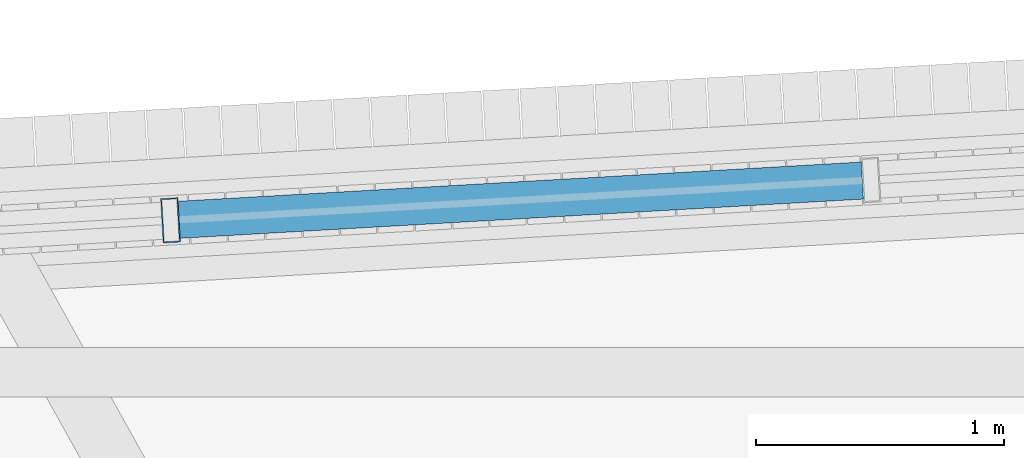
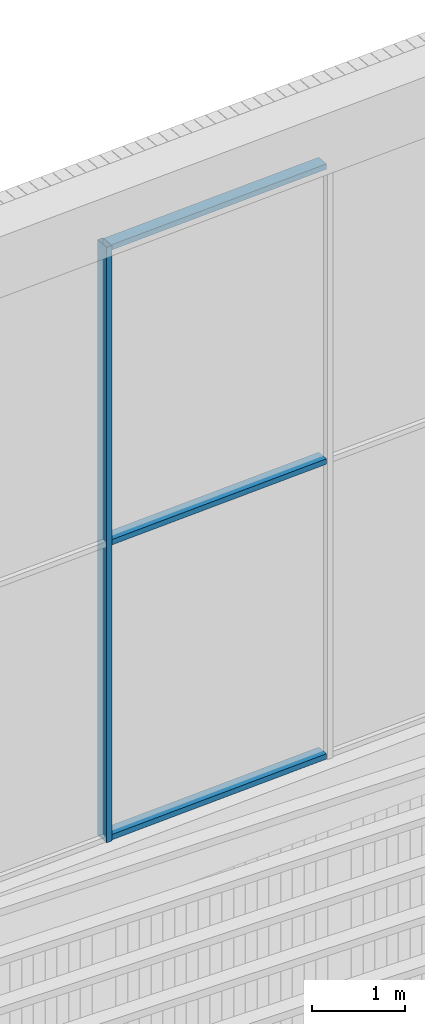
# One storey, part 55 of 117: 4 members, 1 element without a shape of its own.
"""IFC4 building model written with IfcOpenShell, lengths in metres."""

from ifc_helpers import new_model, si_unit, direction, frame, origin, origin_2d, place, context, subcontext, project, spatial, hollow_rectangle, extrude, material, layer, layer_set, material_profile, profile_set, type_object, element, aggregate, save


model = new_model("IFC4")

# Units and contexts
model_context = context("Model", 3, precision=1e-05, world=origin(), true_north=direction((0.0, 1.0)))
body_context = subcontext(model_context, "Body", "Model", "MODEL_VIEW")
ifc_project = project(units=[si_unit("LENGTHUNIT", "METRE"), si_unit("AREAUNIT", "SQUARE_METRE"), si_unit("VOLUMEUNIT", "CUBIC_METRE"), si_unit("PLANEANGLEUNIT", "RADIAN"), si_unit("MASSUNIT", "GRAM", prefix="KILO")], contexts=[model_context])

# Site, building, storey
site_placement = place(None, origin())
site = spatial("IfcSite", under=ifc_project, at=site_placement, CompositionType="ELEMENT")
building_placement = place(site_placement, origin())
building = spatial("IfcBuilding", under=site, at=building_placement, Name="Tarsis Ring Headquarters", CompositionType="ELEMENT")
storey_placement = place(building_placement, frame((0.0, 0.0, 403.60009765625)))
storey = spatial("IfcBuildingStorey", under=building, at=storey_placement, Name="L95", CompositionType="ELEMENT", Elevation=403.60009765625)

# Curtain wall, members
ifc_material_1 = material(Name="Aluminium curtain wall", Category="aluminium")
ifc_layer = layer(ifc_material_1, 0.179931640625)
ifc_layer_set = layer_set([ifc_layer], Name="Curtain wall crown glazing")
curtain_wall_type = type_object("IfcCurtainWallType", Name="Curtain wall crown glazing", PredefinedType="NOTDEFINED", material=ifc_layer_set)
curtain_wall_placement = place(storey_placement, origin())
curtain_wall = element("IfcCurtainWall", 1, at=curtain_wall_placement, inside=storey, type_object=curtain_wall_type, Name="Crown glazing U10", PredefinedType="NOTDEFINED")
ifc_material_2 = material(Name="Aluminium mullion", Category="aluminium")
ifc_material_profile_1 = material_profile(ifc_material_2, hollow_rectangle(XDim=0.179931640625, YDim=0.070068359375, WallThickness=0.0048828125, at=origin_2d()), Name="RHS 180x70x5")
ifc_profile_set_1 = profile_set([ifc_material_profile_1], Name="Aluminium mullion")
member_type_1 = type_object("IfcMemberType", Name="Crown glazing mullion RHS 180x70x5", PredefinedType="MULLION", material=ifc_profile_set_1)
member_1_placement = place(storey_placement, frame((-1.630126953125, 28.3486328125, 14.39990234375), z_axis=(0.0, 0.0, 1.0), x_axis=(0.057411549568, -0.998350596723, 0.0)))
member_1 = element("IfcMember", 2, at=member_1_placement, type_object=member_type_1, Name="CW-C mullion 3", PredefinedType="MULLION", context=body_context, shape_type="SweptSolid", body=[
    extrude(hollow_rectangle(XDim=0.179931640625, YDim=0.070068359375, WallThickness=0.0048828125, at=origin_2d()), origin(), (0.0, 0.0, 1.0), 7.800048828125),
])
ifc_material_3 = material(Name="Aluminium transom", Category="aluminium")
ifc_material_profile_2 = material_profile(ifc_material_3, hollow_rectangle(XDim=0.14990234375, YDim=0.070068359375, WallThickness=0.0048828125, at=origin_2d()), Name="RHS 150x70x5")
ifc_profile_set_2 = profile_set([ifc_material_profile_2], Name="Aluminium transom")
member_type_2 = type_object("IfcMemberType", Name="Crown glazing transom RHS 150x70x5", PredefinedType="USERDEFINED", material=ifc_profile_set_2)
member_2_placement = place(storey_placement, frame((1.163818359375, 28.50927734375, 14.434814453125), z_axis=(-0.998355048761, -0.057334078988, 0.0), x_axis=(0.057334078988, -0.998355048761, 0.0)))
member_2 = element("IfcMember", 3, at=member_2_placement, type_object=member_type_2, Name="CW-C transom 2.1", ObjectType="TRANSOM", PredefinedType="USERDEFINED", context=body_context, shape_type="SweptSolid", body=[
    extrude(hollow_rectangle(XDim=0.14990234375, YDim=0.070068359375, WallThickness=0.0048828125, at=origin_2d()), origin(), (0.0, 0.0, 1.0), 2.763671875),
])
member_3_placement = place(storey_placement, frame((1.163818359375, 28.50927734375, 18.2998046875), z_axis=(-0.998355048761, -0.057334078988, 0.0), x_axis=(0.057334078988, -0.998355048761, 0.0)))
member_3 = element("IfcMember", 4, at=member_3_placement, type_object=member_type_2, Name="CW-C transom 2.2", ObjectType="TRANSOM", PredefinedType="USERDEFINED", context=body_context, shape_type="SweptSolid", body=[
    extrude(hollow_rectangle(XDim=0.14990234375, YDim=0.070068359375, WallThickness=0.0048828125, at=origin_2d()), origin(), (0.0, 0.0, 1.0), 2.763671875),
])
member_4_placement = place(storey_placement, frame((1.163818359375, 28.50927734375, 22.164794921875), z_axis=(-0.998355048761, -0.057334078988, 0.0), x_axis=(0.057334078988, -0.998355048761, 0.0)))
member_4 = element("IfcMember", 5, at=member_4_placement, type_object=member_type_2, Name="CW-C transom 2.3", ObjectType="TRANSOM", PredefinedType="USERDEFINED", context=body_context, shape_type="SweptSolid", body=[
    extrude(hollow_rectangle(XDim=0.14990234375, YDim=0.070068359375, WallThickness=0.0048828125, at=origin_2d()), origin(), (0.0, 0.0, 1.0), 2.763671875),
])
aggregate(curtain_wall, [member_1, member_2, member_3, member_4])

save(model, "model.ifc")
